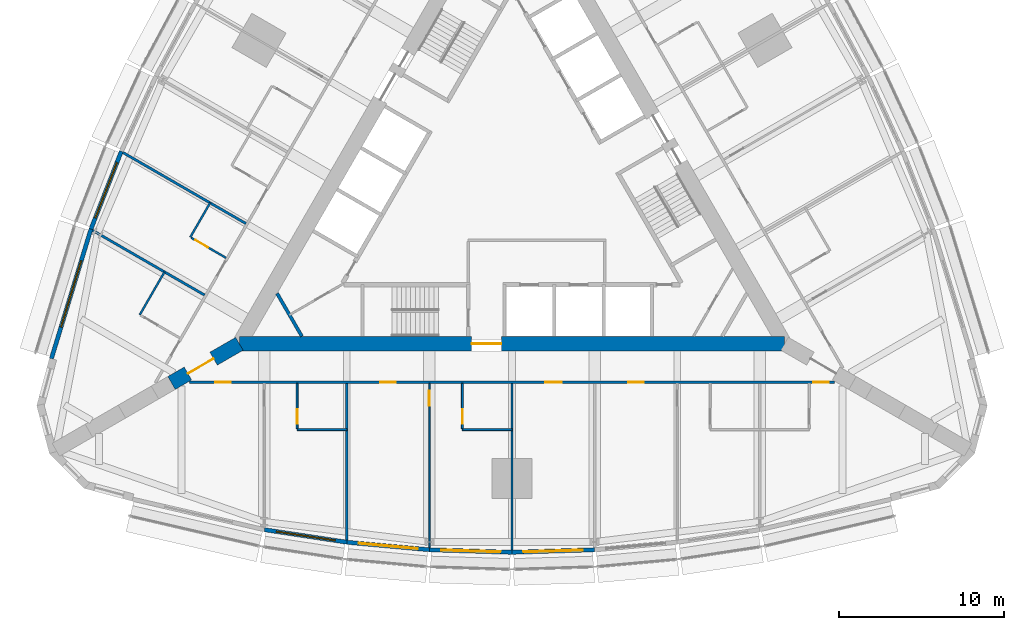
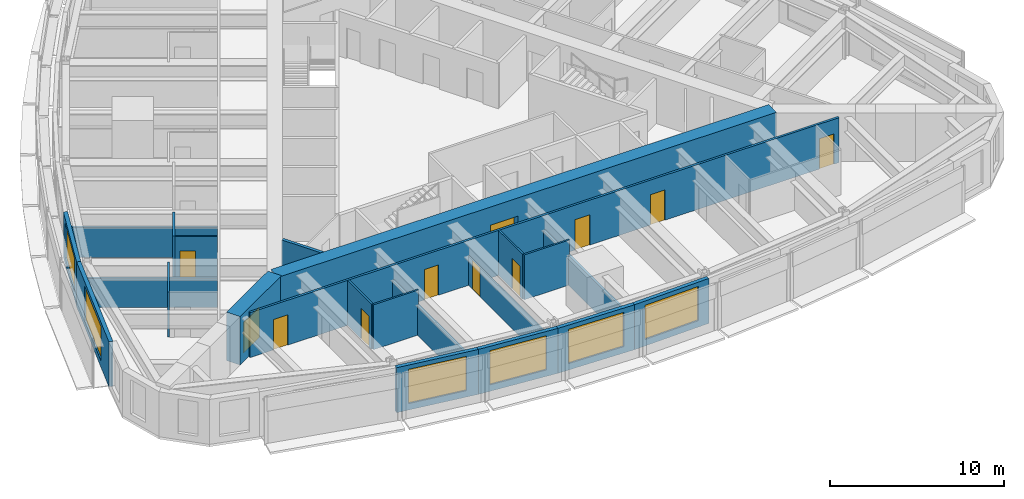
# One storey, part 8 of 14: 22 walls, 11 doors, 6 windows, 17 openings.
"""IFC4 building model written with IfcOpenShell, lengths in metres."""

from ifc_helpers import new_model, si_unit, direction, frame, frame_2d, origin, place, context, subcontext, project, spatial, rectangle, extrude, material, layer, layer_set, type_object, element, fill, save


model = new_model("IFC4")

# Units and contexts
model_context = context("Model", 3, precision=1e-05, world=origin(), true_north=direction((0.0, 1.0)))
body_context = subcontext(model_context, "Body", "Model", "MODEL_VIEW")
ifc_project = project(units=[si_unit("LENGTHUNIT", "METRE"), si_unit("AREAUNIT", "SQUARE_METRE"), si_unit("VOLUMEUNIT", "CUBIC_METRE"), si_unit("PLANEANGLEUNIT", "RADIAN"), si_unit("MASSUNIT", "GRAM", prefix="KILO")], contexts=[model_context])

# Site, building, storey
site_placement = place(None, origin())
site = spatial("IfcSite", under=ifc_project, at=site_placement, CompositionType="ELEMENT")
building_placement = place(site_placement, origin())
building = spatial("IfcBuilding", under=site, at=building_placement, Name="Trikona Tower", CompositionType="ELEMENT")
storey_placement = place(building_placement, frame((0.0, 0.0, 99.89990234375)))
storey = spatial("IfcBuildingStorey", under=building, at=storey_placement, Name="L26", CompositionType="ELEMENT", Elevation=99.89990234375)

# Wall
ifc_material_1 = material(Name="Metal stud and cement board", Category="gypsum")
ifc_layer_1 = layer(ifc_material_1, 0.1201171875)
ifc_layer_set_1 = layer_set([ifc_layer_1], Name="Bathroom wall 120")
wall_type_1 = type_object("IfcWallType", Name="Bathroom wall 120", PredefinedType="PLUMBINGWALL", material=ifc_layer_set_1)
wall_1_placement = place(storey_placement, frame((-13.0, -14.726318359375, 0.0), z_axis=(0.0, 0.0, 1.0), x_axis=(1.0, 0.0, 0.0)))
element("IfcWall", 1, at=wall_1_placement, inside=storey, type_object=wall_type_1, Name="Bathroom wall 2601.1", PredefinedType="PLUMBINGWALL", context=body_context, shape_type="SweptSolid", body=[
    extrude(rectangle(XDim=3.0, YDim=0.1201171875, at=frame_2d((1.5, 0.0))), origin(), (0.0, 0.0, 1.0), 3.150146484375),
])

# Wall, opening, door
wall_2_placement = place(storey_placement, frame((-13.0, -11.92626953125, 0.0), z_axis=(0.0, 0.0, 1.0), x_axis=(0.0, -1.0, 0.0)))
wall_2 = element("IfcWall", 2, at=wall_2_placement, inside=storey, type_object=wall_type_1, Name="Bathroom wall 2601.1", PredefinedType="PLUMBINGWALL", context=body_context, shape_type="SweptSolid", body=[
    extrude(rectangle(XDim=2.739990234375, YDim=0.1201171875, at=frame_2d((1.3701171875, 0.0))), origin(), (0.0, 0.0, 1.0), 3.150146484375),
])
opening_1_placement = place(wall_2_placement, frame((1.550048828125, 0.0, 0.0)))
opening_1 = element("IfcOpeningElement", 3, at=opening_1_placement, cuts=wall_2, Name="Opening D2", PredefinedType="OPENING", context=body_context, shape_type="SweptSolid", body=[
    extrude(rectangle(XDim=0.89990234375, YDim=2.1298828125, at=frame_2d((0.449951171875, 1.06494140625))), frame((0.0, 0.070068359375, 0.0), z_axis=(0.0, -1.0, 0.0), x_axis=(1.0, 0.0, 0.0)), (0.0, 0.0, 1.0), 0.14013671875),
])
ifc_material_2 = material(Name="Steel door frame with solid-core timber leaf", Category="steel")
door_type_1 = type_object("IfcDoorType", Name="Bathroom door 900x2130", OperationType="SLIDING_TO_LEFT", PredefinedType="DOOR", material=ifc_material_2)
door_1_placement = place(opening_1_placement, origin())
door_1 = element("IfcDoor", 4, at=door_1_placement, inside=storey, type_object=door_type_1, Name="Bathroom door 2601.1", OperationType="SLIDING_TO_LEFT", OverallHeight=2.1298828125, OverallWidth=0.89990234375, PredefinedType="DOOR", context=body_context, shape_type="SweptSolid", body=[
    extrude(rectangle(XDim=0.89990234375, YDim=2.1298828125, at=frame_2d((0.449951171875, 1.06494140625))), frame((0.0, 0.02490234375, 0.0), z_axis=(0.0, -1.0, 0.0), x_axis=(1.0, 0.0, 0.0)), (0.0, 0.0, 1.0), 0.050048828125),
])
fill(opening_1, door_1)

# Wall
wall_3_placement = place(storey_placement, frame((-3.0, -14.726318359375, 0.0), z_axis=(0.0, 0.0, 1.0), x_axis=(1.0, 0.0, 0.0)))
element("IfcWall", 5, at=wall_3_placement, inside=storey, type_object=wall_type_1, Name="Bathroom wall 2602.1", PredefinedType="PLUMBINGWALL", context=body_context, shape_type="SweptSolid", body=[
    extrude(rectangle(XDim=3.0, YDim=0.1201171875, at=frame_2d((1.5, 0.0))), origin(), (0.0, 0.0, 1.0), 3.150146484375),
])

# Wall, opening, door
wall_4_placement = place(storey_placement, frame((-3.0, -11.92626953125, 0.0), z_axis=(0.0, 0.0, 1.0), x_axis=(0.0, -1.0, 0.0)))
wall_4 = element("IfcWall", 6, at=wall_4_placement, inside=storey, type_object=wall_type_1, Name="Bathroom wall 2602.1", PredefinedType="PLUMBINGWALL", context=body_context, shape_type="SweptSolid", body=[
    extrude(rectangle(XDim=2.739990234375, YDim=0.1201171875, at=frame_2d((1.3701171875, 0.0))), origin(), (0.0, 0.0, 1.0), 3.150146484375),
])
opening_2_placement = place(wall_4_placement, frame((1.550048828125, 0.0, 0.0)))
opening_2 = element("IfcOpeningElement", 7, at=opening_2_placement, cuts=wall_4, Name="Opening D2", PredefinedType="OPENING", context=body_context, shape_type="SweptSolid", body=[
    extrude(rectangle(XDim=0.89990234375, YDim=2.1298828125, at=frame_2d((0.449951171875, 1.06494140625))), frame((0.0, 0.070068359375, 0.0), z_axis=(0.0, -1.0, 0.0), x_axis=(1.0, 0.0, 0.0)), (0.0, 0.0, 1.0), 0.14013671875),
])
door_2_placement = place(opening_2_placement, origin())
door_2 = element("IfcDoor", 8, at=door_2_placement, inside=storey, type_object=door_type_1, Name="Bathroom door 2602.1", OperationType="SLIDING_TO_LEFT", OverallHeight=2.1298828125, OverallWidth=0.89990234375, PredefinedType="DOOR", context=body_context, shape_type="SweptSolid", body=[
    extrude(rectangle(XDim=0.89990234375, YDim=2.1298828125, at=frame_2d((0.449951171875, 1.06494140625))), frame((0.0, 0.02490234375, 0.0), z_axis=(0.0, -1.0, 0.0), x_axis=(1.0, 0.0, 0.0)), (0.0, 0.0, 1.0), 0.050048828125),
])
fill(opening_2, door_2)

# Wall
wall_5_placement = place(storey_placement, frame((-18.27294921875, -0.9970703125, 0.0), z_axis=(0.0, 0.0, 1.0), x_axis=(-0.499957262057, -0.866050077142, 0.0)))
element("IfcWall", 9, at=wall_5_placement, inside=storey, type_object=wall_type_1, Name="Bathroom wall 2613", PredefinedType="PLUMBINGWALL", context=body_context, shape_type="SweptSolid", body=[
    extrude(rectangle(XDim=2.400146484375, YDim=0.1201171875, at=frame_2d((1.2001953125, 0.0))), origin(), (0.0, 0.0, 1.0), 3.150146484375),
])

# Wall, opening, door
wall_6_placement = place(storey_placement, frame((-17.307861328125, -4.32568359375, 0.0), z_axis=(0.0, 0.0, 1.0), x_axis=(-0.866023955769, 0.500002508028, 0.0)))
wall_6 = element("IfcWall", 10, at=wall_6_placement, inside=storey, type_object=wall_type_1, Name="Bathroom wall 2613", PredefinedType="PLUMBINGWALL", context=body_context, shape_type="SweptSolid", body=[
    extrude(rectangle(XDim=2.43994140625, YDim=0.1201171875, at=frame_2d((1.219970703125, 0.0))), origin(), (0.0, 0.0, 1.0), 3.150146484375),
])
opening_3_placement = place(wall_6_placement, frame((1.25, 0.0, 0.0)))
opening_3 = element("IfcOpeningElement", 11, at=opening_3_placement, cuts=wall_6, Name="Opening D2", PredefinedType="OPENING", context=body_context, shape_type="SweptSolid", body=[
    extrude(rectangle(XDim=0.89990234375, YDim=2.1298828125, at=frame_2d((0.449951171875, 1.06494140625))), frame((0.0, 0.070068359375, 0.0), z_axis=(0.0, -1.0, 0.0), x_axis=(1.0, 0.0, 0.0)), (0.0, 0.0, 1.0), 0.14013671875),
])
door_3_placement = place(opening_3_placement, origin())
door_3 = element("IfcDoor", 12, at=door_3_placement, inside=storey, type_object=door_type_1, Name="Bathroom door 2613", OperationType="SLIDING_TO_LEFT", OverallHeight=2.1298828125, OverallWidth=0.89990234375, PredefinedType="DOOR", context=body_context, shape_type="SweptSolid", body=[
    extrude(rectangle(XDim=0.89990234375, YDim=2.1298828125, at=frame_2d((0.449951171875, 1.06494140625))), frame((0.0, 0.02490234375, 0.0), z_axis=(0.0, -1.0, 0.0), x_axis=(1.0, 0.0, 0.0)), (0.0, 0.0, 1.0), 0.050048828125),
])
fill(opening_3, door_3)

# Wall
wall_7_placement = place(storey_placement, frame((-21.03271484375, -5.17724609375, 0.0), z_axis=(0.0, 0.0, 1.0), x_axis=(-0.499990139034, -0.866031096941, 0.0)))
element("IfcWall", 13, at=wall_7_placement, inside=storey, type_object=wall_type_1, Name="Bathroom wall 2614", PredefinedType="PLUMBINGWALL", context=body_context, shape_type="SweptSolid", body=[
    extrude(rectangle(XDim=3.0, YDim=0.1201171875, at=frame_2d((1.5, 0.0))), origin(), (0.0, 0.0, 1.0), 3.150146484375),
])

# Wall, opening, door
ifc_material_3 = material(Name="Concrete f'c 10000 psi", Category="concrete")
ifc_layer_2 = layer(ifc_material_3, 0.89990234375)
ifc_layer_set_2 = layer_set([ifc_layer_2], Name="Buttress wall 900")
wall_type_2 = type_object("IfcWallType", Name="Buttress wall 900", PredefinedType="SHEAR", material=ifc_layer_set_2)
wall_8_placement = place(storey_placement, frame((-16.5, -9.5263671875, 0.0), z_axis=(0.0, 0.0, 1.0), x_axis=(-0.866031398331, -0.499989616998, 0.0)))
wall_8 = element("IfcWall", 14, at=wall_8_placement, inside=storey, type_object=wall_type_2, Name="Buttress wall 3", PredefinedType="SHEAR", context=body_context, shape_type="SweptSolid", body=[
    extrude(rectangle(XDim=4.74609375, YDim=0.89990234375, at=frame_2d((2.373046875, 0.0))), origin(), (0.0, 0.0, 1.0), 3.400146484375),
])
opening_4_placement = place(wall_8_placement, frame((1.800048828125, 0.0, 0.0)))
opening_4 = element("IfcOpeningElement", 15, at=opening_4_placement, cuts=wall_8, Name="Opening D10", PredefinedType="OPENING", context=body_context, shape_type="SweptSolid", body=[
    extrude(rectangle(XDim=1.800048828125, YDim=2.1298828125, at=frame_2d((0.89990234375, 1.06494140625))), frame((0.0, 0.4599609375, 0.0), z_axis=(0.0, -1.0, 0.0), x_axis=(1.0, 0.0, 0.0)), (0.0, 0.0, 1.0), 0.919921875),
])
ifc_material_4 = material(Name="Hollow metal door and frame", Category="steel")
door_type_2 = type_object("IfcDoorType", Name="Cross-corridor door pair 1800x2130", OperationType="DOUBLE_DOOR_DOUBLE_SWING", PredefinedType="DOOR", material=ifc_material_4)
door_4_placement = place(opening_4_placement, origin())
door_4 = element("IfcDoor", 16, at=door_4_placement, inside=storey, type_object=door_type_2, Name="Cross-corridor door 3", OperationType="DOUBLE_DOOR_DOUBLE_SWING", OverallHeight=2.1298828125, OverallWidth=1.800048828125, PredefinedType="DOOR", context=body_context, shape_type="SweptSolid", body=[
    extrude(rectangle(XDim=1.800048828125, YDim=2.1298828125, at=frame_2d((0.89990234375, 1.06494140625))), frame((0.0, 0.02490234375, 0.0), z_axis=(0.0, -1.0, 0.0), x_axis=(1.0, 0.0, 0.0)), (0.0, 0.0, 1.0), 0.050048828125),
])
fill(opening_4, door_4)

ifc_material_5 = material(Name="Concrete f'c 10000 psi", Category="concrete")
ifc_layer_3 = layer(ifc_material_5, 0.89990234375)
ifc_layer_set_3 = layer_set([ifc_layer_3], Name="Core wall 900")
wall_type_3 = type_object("IfcWallType", Name="Core wall 900", PredefinedType="SHEAR", material=ifc_layer_set_3)
wall_9_placement = place(storey_placement, frame((-16.5, -9.5263671875, 0.0), z_axis=(0.0, 0.0, 1.0), x_axis=(1.0, 0.0, 0.0)))
wall_9 = element("IfcWall", 17, at=wall_9_placement, inside=storey, type_object=wall_type_3, Name="Core wall A", PredefinedType="SHEAR", context=body_context, shape_type="SweptSolid", body=[
    extrude(rectangle(XDim=33.0, YDim=0.89990234375, at=frame_2d((16.5, 0.0))), origin(), (0.0, 0.0, 1.0), 3.400146484375),
])
opening_5_placement = place(wall_9_placement, frame((14.050048828125, 0.0, 0.0)))
opening_5 = element("IfcOpeningElement", 18, at=opening_5_placement, cuts=wall_9, Name="Opening D6", PredefinedType="OPENING", context=body_context, shape_type="SweptSolid", body=[
    extrude(rectangle(XDim=1.800048828125, YDim=2.1298828125, at=frame_2d((0.89990234375, 1.06494140625))), frame((0.0, 0.4599609375, 0.0), z_axis=(0.0, -1.0, 0.0), x_axis=(1.0, 0.0, 0.0)), (0.0, 0.0, 1.0), 0.919921875),
])
ifc_material_6 = material(Name="Hollow metal door and frame", Category="steel")
door_type_3 = type_object("IfcDoorType", Name="Lobby door pair 1800x2130", OperationType="DOUBLE_DOOR_SINGLE_SWING", PredefinedType="DOOR", material=ifc_material_6)
door_5_placement = place(opening_5_placement, origin())
door_5 = element("IfcDoor", 19, at=door_5_placement, inside=storey, type_object=door_type_3, Name="Fire service lift lobby door", OperationType="DOUBLE_DOOR_SINGLE_SWING", OverallHeight=2.1298828125, OverallWidth=1.800048828125, PredefinedType="DOOR", context=body_context, shape_type="SweptSolid", body=[
    extrude(rectangle(XDim=1.800048828125, YDim=2.1298828125, at=frame_2d((0.89990234375, 1.06494140625))), frame((0.0, 0.02490234375, 0.0), z_axis=(0.0, -1.0, 0.0), x_axis=(1.0, 0.0, 0.0)), (0.0, 0.0, 1.0), 0.050048828125),
])
fill(opening_5, door_5)

# Wall, openings, doors
ifc_material_7 = material(Name="Metal stud and gypsum board, 1-hour", Category="gypsum")
ifc_layer_4 = layer(ifc_material_7, 0.14990234375)
ifc_layer_set_4 = layer_set([ifc_layer_4], Name="Corridor wall 150")
wall_type_4 = type_object("IfcWallType", Name="Corridor wall 150", PredefinedType="PARTITIONING", material=ifc_layer_set_4)
wall_10_placement = place(storey_placement, frame((-19.527099609375, -11.851318359375, 0.0), z_axis=(0.0, 0.0, 1.0), x_axis=(1.0, 0.0, 0.0)))
wall_10 = element("IfcWall", 20, at=wall_10_placement, inside=storey, type_object=wall_type_4, Name="Corridor wall L26-1", PredefinedType="PARTITIONING", context=body_context, shape_type="SweptSolid", body=[
    extrude(rectangle(XDim=39.05419921875, YDim=0.14990234375, at=frame_2d((19.527099609375, 0.0))), origin(), (0.0, 0.0, 1.0), 3.150146484375),
])
opening_6_placement = place(wall_10_placement, frame((1.558349609375, 0.0, 0.0)))
opening_6 = element("IfcOpeningElement", 21, at=opening_6_placement, cuts=wall_10, Name="Opening D1", PredefinedType="OPENING", context=body_context, shape_type="SweptSolid", body=[
    extrude(rectangle(XDim=0.949951171875, YDim=2.1298828125, at=frame_2d((0.47509765625, 1.06494140625))), frame((0.0, 0.0849609375, 0.0), z_axis=(0.0, -1.0, 0.0), x_axis=(1.0, 0.0, 0.0)), (0.0, 0.0, 1.0), 0.169921875),
])
opening_7_placement = place(wall_10_placement, frame((11.552001953125, 0.0, 0.0)))
opening_7 = element("IfcOpeningElement", 22, at=opening_7_placement, cuts=wall_10, Name="Opening D1", PredefinedType="OPENING", context=body_context, shape_type="SweptSolid", body=[
    extrude(rectangle(XDim=0.949951171875, YDim=2.1298828125, at=frame_2d((0.47509765625, 1.06494140625))), frame((0.0, 0.0849609375, 0.0), z_axis=(0.0, -1.0, 0.0), x_axis=(1.0, 0.0, 0.0)), (0.0, 0.0, 1.0), 0.169921875),
])
opening_8_placement = place(wall_10_placement, frame((21.527099609375, 0.0, 0.0)))
opening_8 = element("IfcOpeningElement", 23, at=opening_8_placement, cuts=wall_10, Name="Opening D3", PredefinedType="OPENING", context=body_context, shape_type="SweptSolid", body=[
    extrude(rectangle(XDim=1.0, YDim=2.1298828125, at=frame_2d((0.5, 1.06494140625))), frame((0.0, 0.0849609375, 0.0), z_axis=(0.0, -1.0, 0.0), x_axis=(1.0, 0.0, 0.0)), (0.0, 0.0, 1.0), 0.169921875),
])
opening_9_placement = place(wall_10_placement, frame((26.552001953125, 0.0, 0.0)))
opening_9 = element("IfcOpeningElement", 24, at=opening_9_placement, cuts=wall_10, Name="Opening D1", PredefinedType="OPENING", context=body_context, shape_type="SweptSolid", body=[
    extrude(rectangle(XDim=0.949951171875, YDim=2.1298828125, at=frame_2d((0.47509765625, 1.06494140625))), frame((0.0, 0.0849609375, 0.0), z_axis=(0.0, -1.0, 0.0), x_axis=(1.0, 0.0, 0.0)), (0.0, 0.0, 1.0), 0.169921875),
])
opening_10_placement = place(wall_10_placement, frame((37.751953125, 0.0, 0.0)))
opening_10 = element("IfcOpeningElement", 25, at=opening_10_placement, cuts=wall_10, Name="Opening D1", PredefinedType="OPENING", context=body_context, shape_type="SweptSolid", body=[
    extrude(rectangle(XDim=0.949951171875, YDim=2.1298828125, at=frame_2d((0.47509765625, 1.06494140625))), frame((0.0, 0.0849609375, 0.0), z_axis=(0.0, -1.0, 0.0), x_axis=(1.0, 0.0, 0.0)), (0.0, 0.0, 1.0), 0.169921875),
])
ifc_material_8 = material(Name="Steel door frame with solid-core timber leaf", Category="steel")
door_type_4 = type_object("IfcDoorType", Name="Guest room door 950x2130", OperationType="SINGLE_SWING_LEFT", PredefinedType="DOOR", material=ifc_material_8)
door_6_placement = place(opening_6_placement, origin())
door_6 = element("IfcDoor", 26, at=door_6_placement, inside=storey, type_object=door_type_4, Name="Room door 2601", OperationType="SINGLE_SWING_LEFT", OverallHeight=2.1298828125, OverallWidth=0.949951171875, PredefinedType="DOOR", context=body_context, shape_type="SweptSolid", body=[
    extrude(rectangle(XDim=0.949951171875, YDim=2.1298828125, at=frame_2d((0.47509765625, 1.06494140625))), frame((0.0, 0.02490234375, 0.0), z_axis=(0.0, -1.0, 0.0), x_axis=(1.0, 0.0, 0.0)), (0.0, 0.0, 1.0), 0.050048828125),
])
fill(opening_6, door_6)
door_7_placement = place(opening_7_placement, origin())
door_7 = element("IfcDoor", 27, at=door_7_placement, inside=storey, type_object=door_type_4, Name="Room door 2602", OperationType="SINGLE_SWING_RIGHT", OverallHeight=2.1298828125, OverallWidth=0.949951171875, PredefinedType="DOOR", context=body_context, shape_type="SweptSolid", body=[
    extrude(rectangle(XDim=0.949951171875, YDim=2.1298828125, at=frame_2d((0.47509765625, 1.06494140625))), frame((0.0, 0.02490234375, 0.0), z_axis=(0.0, -1.0, 0.0), x_axis=(1.0, 0.0, 0.0)), (0.0, 0.0, 1.0), 0.050048828125),
])
fill(opening_7, door_7)
door_8_placement = place(opening_9_placement, origin())
door_8 = element("IfcDoor", 28, at=door_8_placement, inside=storey, type_object=door_type_4, Name="Room door 2603", OperationType="SINGLE_SWING_RIGHT", OverallHeight=2.1298828125, OverallWidth=0.949951171875, PredefinedType="DOOR", context=body_context, shape_type="SweptSolid", body=[
    extrude(rectangle(XDim=0.949951171875, YDim=2.1298828125, at=frame_2d((0.47509765625, 1.06494140625))), frame((0.0, 0.02490234375, 0.0), z_axis=(0.0, -1.0, 0.0), x_axis=(1.0, 0.0, 0.0)), (0.0, 0.0, 1.0), 0.050048828125),
])
fill(opening_9, door_8)
door_9_placement = place(opening_10_placement, origin())
door_9 = element("IfcDoor", 29, at=door_9_placement, inside=storey, type_object=door_type_4, Name="Room door 2604", OperationType="SINGLE_SWING_RIGHT", OverallHeight=2.1298828125, OverallWidth=0.949951171875, PredefinedType="DOOR", context=body_context, shape_type="SweptSolid", body=[
    extrude(rectangle(XDim=0.949951171875, YDim=2.1298828125, at=frame_2d((0.47509765625, 1.06494140625))), frame((0.0, 0.02490234375, 0.0), z_axis=(0.0, -1.0, 0.0), x_axis=(1.0, 0.0, 0.0)), (0.0, 0.0, 1.0), 0.050048828125),
])
fill(opening_10, door_9)
ifc_material_9 = material(Name="Steel door frame with solid-core timber leaf", Category="steel")
door_type_5 = type_object("IfcDoorType", Name="Room door 1000x2130", OperationType="SINGLE_SWING_LEFT", PredefinedType="DOOR", material=ifc_material_9)
door_10_placement = place(opening_8_placement, origin())
door_10 = element("IfcDoor", 30, at=door_10_placement, inside=storey, type_object=door_type_5, Name="Door Housekeeping pantry", OperationType="SINGLE_SWING_LEFT", OverallHeight=2.1298828125, OverallWidth=1.0, PredefinedType="DOOR", context=body_context, shape_type="SweptSolid", body=[
    extrude(rectangle(XDim=1.0, YDim=2.1298828125, at=frame_2d((0.5, 1.06494140625))), frame((0.0, 0.02490234375, 0.0), z_axis=(0.0, -1.0, 0.0), x_axis=(1.0, 0.0, 0.0)), (0.0, 0.0, 1.0), 0.050048828125),
])
fill(opening_8, door_10)

# Wall, opening, window
ifc_material_10 = material(Name="Insulated precast concrete spandrel panel", Category="concrete")
ifc_layer_5 = layer(ifc_material_10, 0.25)
ifc_layer_set_5 = layer_set([ifc_layer_5], Name="Inner skin wall 250")
wall_type_5 = type_object("IfcWallType", Name="Inner skin wall 250", PredefinedType="STANDARD", material=ifc_layer_set_5)
wall_11_placement = place(storey_placement, frame((-14.981201171875, -20.779296875, 0.0), z_axis=(0.0, 0.0, 1.0), x_axis=(0.988615403399, -0.150464561152, 0.0)))
wall_11 = element("IfcWall", 31, at=wall_11_placement, inside=storey, type_object=wall_type_5, Name="External wall L26-01", PredefinedType="STANDARD", context=body_context, shape_type="SweptSolid", body=[
    extrude(rectangle(XDim=5.0576171875, YDim=0.25, at=frame_2d((2.52880859375, 0.0))), origin(), (0.0, 0.0, 1.0), 3.150146484375),
])
opening_11_placement = place(wall_11_placement, frame((0.728759765625, 0.0, 0.449951171875)))
opening_11 = element("IfcOpeningElement", 32, at=opening_11_placement, cuts=wall_11, Name="Opening W3624", PredefinedType="OPENING", context=body_context, shape_type="SweptSolid", body=[
    extrude(rectangle(XDim=3.60009765625, YDim=2.39990234375, at=frame_2d((1.800048828125, 1.199951171875))), frame((0.0, 0.135009765625, 0.0), z_axis=(0.0, -1.0, 0.0), x_axis=(1.0, 0.0, 0.0)), (0.0, 0.0, 1.0), 0.27001953125),
])
ifc_material_11 = material(Name="Aluminium-framed double glazing", Category="aluminium")
window_type_1 = type_object("IfcWindowType", Name="Window 3600x2400", PartitioningType="SINGLE_PANEL", PredefinedType="WINDOW", material=ifc_material_11)
window_1_placement = place(opening_11_placement, origin())
window_1 = element("IfcWindow", 33, at=window_1_placement, inside=storey, type_object=window_type_1, Name="Window 2601.1", OverallHeight=2.39990234375, OverallWidth=3.60009765625, PartitioningType="SINGLE_PANEL", PredefinedType="WINDOW", context=body_context, shape_type="SweptSolid", body=[
    extrude(rectangle(XDim=3.60009765625, YDim=2.39990234375, at=frame_2d((1.800048828125, 1.199951171875))), frame((0.0, 0.030029296875, 0.0), z_axis=(0.0, -1.0, 0.0), x_axis=(1.0, 0.0, 0.0)), (0.0, 0.0, 1.0), 0.06005859375),
])
fill(opening_11, window_1)

wall_12_placement = place(storey_placement, frame((-9.988525390625, -21.539306640625, 0.0), z_axis=(0.0, 0.0, 1.0), x_axis=(0.995857256774, -0.090930325692, 0.0)))
wall_12 = element("IfcWall", 34, at=wall_12_placement, inside=storey, type_object=wall_type_5, Name="External wall L26-02", PredefinedType="STANDARD", context=body_context, shape_type="SweptSolid", body=[
    extrude(rectangle(XDim=5.020751953125, YDim=0.25, at=frame_2d((2.51025390625, 0.0))), origin(), (0.0, 0.0, 1.0), 3.150146484375),
])
opening_12_placement = place(wall_12_placement, frame((0.71044921875, 0.0, 0.449951171875)))
opening_12 = element("IfcOpeningElement", 35, at=opening_12_placement, cuts=wall_12, Name="Opening W3624", PredefinedType="OPENING", context=body_context, shape_type="SweptSolid", body=[
    extrude(rectangle(XDim=3.60009765625, YDim=2.39990234375, at=frame_2d((1.800048828125, 1.199951171875))), frame((0.0, 0.135009765625, 0.0), z_axis=(0.0, -1.0, 0.0), x_axis=(1.0, 0.0, 0.0)), (0.0, 0.0, 1.0), 0.27001953125),
])
window_2_placement = place(opening_12_placement, origin())
window_2 = element("IfcWindow", 36, at=window_2_placement, inside=storey, type_object=window_type_1, Name="Window 2602", OverallHeight=2.39990234375, OverallWidth=3.60009765625, PartitioningType="SINGLE_PANEL", PredefinedType="WINDOW", context=body_context, shape_type="SweptSolid", body=[
    extrude(rectangle(XDim=3.60009765625, YDim=2.39990234375, at=frame_2d((1.800048828125, 1.199951171875))), frame((0.0, 0.030029296875, 0.0), z_axis=(0.0, -1.0, 0.0), x_axis=(1.0, 0.0, 0.0)), (0.0, 0.0, 1.0), 0.06005859375),
])
fill(opening_12, window_2)

wall_13_placement = place(storey_placement, frame((-4.99609375, -21.99560546875, 0.0), z_axis=(0.0, 0.0, 1.0), x_axis=(0.999537635046, -0.030405856769, 0.0)))
wall_13 = element("IfcWall", 37, at=wall_13_placement, inside=storey, type_object=wall_type_5, Name="External wall L26-03", PredefinedType="STANDARD", context=body_context, shape_type="SweptSolid", body=[
    extrude(rectangle(XDim=5.002197265625, YDim=0.25, at=frame_2d((2.5009765625, 0.0))), origin(), (0.0, 0.0, 1.0), 3.150146484375),
])
opening_13_placement = place(wall_13_placement, frame((0.701171875, 0.0, 0.449951171875)))
opening_13 = element("IfcOpeningElement", 38, at=opening_13_placement, cuts=wall_13, Name="Opening W3624", PredefinedType="OPENING", context=body_context, shape_type="SweptSolid", body=[
    extrude(rectangle(XDim=3.60009765625, YDim=2.39990234375, at=frame_2d((1.800048828125, 1.199951171875))), frame((0.0, 0.135009765625, 0.0), z_axis=(0.0, -1.0, 0.0), x_axis=(1.0, 0.0, 0.0)), (0.0, 0.0, 1.0), 0.27001953125),
])
window_3_placement = place(opening_13_placement, origin())
window_3 = element("IfcWindow", 39, at=window_3_placement, inside=storey, type_object=window_type_1, Name="Window 2602.1", OverallHeight=2.39990234375, OverallWidth=3.60009765625, PartitioningType="SINGLE_PANEL", PredefinedType="WINDOW", context=body_context, shape_type="SweptSolid", body=[
    extrude(rectangle(XDim=3.60009765625, YDim=2.39990234375, at=frame_2d((1.800048828125, 1.199951171875))), frame((0.0, 0.030029296875, 0.0), z_axis=(0.0, -1.0, 0.0), x_axis=(1.0, 0.0, 0.0)), (0.0, 0.0, 1.0), 0.06005859375),
])
fill(opening_13, window_3)

wall_14_placement = place(storey_placement, frame((-0.00390625, -22.147705078125, 0.0), z_axis=(0.0, 0.0, 1.0), x_axis=(0.999537635046, 0.030405856769, 0.0)))
wall_14 = element("IfcWall", 40, at=wall_14_placement, inside=storey, type_object=wall_type_5, Name="External wall L26-04", PredefinedType="STANDARD", context=body_context, shape_type="SweptSolid", body=[
    extrude(rectangle(XDim=5.002197265625, YDim=0.25, at=frame_2d((2.5009765625, 0.0))), origin(), (0.0, 0.0, 1.0), 3.150146484375),
])
opening_14_placement = place(wall_14_placement, frame((0.701171875, 0.0, 0.449951171875)))
opening_14 = element("IfcOpeningElement", 41, at=opening_14_placement, cuts=wall_14, Name="Opening W3624", PredefinedType="OPENING", context=body_context, shape_type="SweptSolid", body=[
    extrude(rectangle(XDim=3.60009765625, YDim=2.39990234375, at=frame_2d((1.800048828125, 1.199951171875))), frame((0.0, 0.135009765625, 0.0), z_axis=(0.0, -1.0, 0.0), x_axis=(1.0, 0.0, 0.0)), (0.0, 0.0, 1.0), 0.27001953125),
])
window_4_placement = place(opening_14_placement, origin())
window_4 = element("IfcWindow", 42, at=window_4_placement, inside=storey, type_object=window_type_1, Name="Window L26-HKP", OverallHeight=2.39990234375, OverallWidth=3.60009765625, PartitioningType="SINGLE_PANEL", PredefinedType="WINDOW", context=body_context, shape_type="SweptSolid", body=[
    extrude(rectangle(XDim=3.60009765625, YDim=2.39990234375, at=frame_2d((1.800048828125, 1.199951171875))), frame((0.0, 0.030029296875, 0.0), z_axis=(0.0, -1.0, 0.0), x_axis=(1.0, 0.0, 0.0)), (0.0, 0.0, 1.0), 0.06005859375),
])
fill(opening_14, window_4)

wall_15_placement = place(storey_placement, frame((-23.64501953125, 2.126220703125, 0.0), z_axis=(0.0, 0.0, 1.0), x_axis=(-0.364013463868, -0.931393685894, 0.0)))
wall_15 = element("IfcWall", 43, at=wall_15_placement, inside=storey, type_object=wall_type_5, Name="External wall L26-30", PredefinedType="STANDARD", context=body_context, shape_type="SweptSolid", body=[
    extrude(rectangle(XDim=5.0576171875, YDim=0.25, at=frame_2d((2.52880859375, 0.0))), origin(), (0.0, 0.0, 1.0), 3.150146484375),
])
opening_15_placement = place(wall_15_placement, frame((0.728759765625, 0.0, 0.449951171875)))
opening_15 = element("IfcOpeningElement", 44, at=opening_15_placement, cuts=wall_15, Name="Opening W3624", PredefinedType="OPENING", context=body_context, shape_type="SweptSolid", body=[
    extrude(rectangle(XDim=3.60009765625, YDim=2.39990234375, at=frame_2d((1.800048828125, 1.199951171875))), frame((0.0, 0.135009765625, 0.0), z_axis=(0.0, -1.0, 0.0), x_axis=(1.0, 0.0, 0.0)), (0.0, 0.0, 1.0), 0.27001953125),
])
window_5_placement = place(opening_15_placement, origin())
window_5 = element("IfcWindow", 45, at=window_5_placement, inside=storey, type_object=window_type_1, Name="Window 2613", OverallHeight=2.39990234375, OverallWidth=3.60009765625, PartitioningType="SINGLE_PANEL", PredefinedType="WINDOW", context=body_context, shape_type="SweptSolid", body=[
    extrude(rectangle(XDim=3.60009765625, YDim=2.39990234375, at=frame_2d((1.800048828125, 1.199951171875))), frame((0.0, 0.030029296875, 0.0), z_axis=(0.0, -1.0, 0.0), x_axis=(1.0, 0.0, 0.0)), (0.0, 0.0, 1.0), 0.06005859375),
])
fill(opening_15, window_5)

wall_16_placement = place(storey_placement, frame((-25.48291015625, -2.575439453125, 0.0), z_axis=(0.0, 0.0, 1.0), x_axis=(-0.2919790669, -0.956424709265, 0.0)))
wall_16 = element("IfcWall", 46, at=wall_16_placement, inside=storey, type_object=wall_type_5, Name="External wall L26-31", PredefinedType="STANDARD", context=body_context, shape_type="SweptSolid", body=[
    extrude(rectangle(XDim=8.211181640625, YDim=0.25, at=frame_2d((4.10546875, 0.0))), origin(), (0.0, 0.0, 1.0), 3.150146484375),
])
opening_16_placement = place(wall_16_placement, frame((2.005615234375, 0.0, 0.449951171875)))
opening_16 = element("IfcOpeningElement", 47, at=opening_16_placement, cuts=wall_16, Name="Opening W4224", PredefinedType="OPENING", context=body_context, shape_type="SweptSolid", body=[
    extrude(rectangle(XDim=4.199951171875, YDim=2.39990234375, at=frame_2d((2.10009765625, 1.199951171875))), frame((0.0, 0.135009765625, 0.0), z_axis=(0.0, -1.0, 0.0), x_axis=(1.0, 0.0, 0.0)), (0.0, 0.0, 1.0), 0.27001953125),
])
ifc_material_12 = material(Name="Aluminium-framed double glazing", Category="aluminium")
window_type_2 = type_object("IfcWindowType", Name="Window 4200x2400", PartitioningType="SINGLE_PANEL", PredefinedType="WINDOW", material=ifc_material_12)
window_6_placement = place(opening_16_placement, origin())
window_6 = element("IfcWindow", 48, at=window_6_placement, inside=storey, type_object=window_type_2, Name="Window 2614", OverallHeight=2.39990234375, OverallWidth=4.199951171875, PartitioningType="SINGLE_PANEL", PredefinedType="WINDOW", context=body_context, shape_type="SweptSolid", body=[
    extrude(rectangle(XDim=4.199951171875, YDim=2.39990234375, at=frame_2d((2.10009765625, 1.199951171875))), frame((0.0, 0.030029296875, 0.0), z_axis=(0.0, -1.0, 0.0), x_axis=(1.0, 0.0, 0.0)), (0.0, 0.0, 1.0), 0.06005859375),
])
fill(opening_16, window_6)

# Walls
ifc_material_13 = material(Name="Metal stud and gypsum board, 1-hour acoustic", Category="gypsum")
ifc_layer_6 = layer(ifc_material_13, 0.14990234375)
ifc_layer_set_6 = layer_set([ifc_layer_6], Name="Party wall 150")
wall_type_6 = type_object("IfcWallType", Name="Party wall 150", PredefinedType="PARTITIONING", material=ifc_layer_set_6)
wall_17_placement = place(storey_placement, frame((-10.0, -11.92626953125, 0.0), z_axis=(0.0, 0.0, 1.0), x_axis=(0.0, -1.0, 0.0)))
element("IfcWall", 49, at=wall_17_placement, inside=storey, type_object=wall_type_6, Name="Partition L26 F1 u-10", PredefinedType="PARTITIONING", context=body_context, shape_type="SweptSolid", body=[
    extrude(rectangle(XDim=9.484619140625, YDim=0.14990234375, at=frame_2d((4.7421875, 0.0))), origin(), (0.0, 0.0, 1.0), 2.108642578125),
])
wall_18_placement = place(storey_placement, frame((0.0, -11.92626953125, 0.0), z_axis=(0.0, 0.0, 1.0), x_axis=(0.0, -1.0, 0.0)))
element("IfcWall", 50, at=wall_18_placement, inside=storey, type_object=wall_type_6, Name="Partition L26 F1 u-1.03538e-30", PredefinedType="PARTITIONING", context=body_context, shape_type="SweptSolid", body=[
    extrude(rectangle(XDim=10.09619140625, YDim=0.14990234375, at=frame_2d((5.048095703125, 0.0))), origin(), (0.0, 0.0, 1.0), 2.108642578125),
])
wall_19_placement = place(storey_placement, frame((-16.10791015625, -2.2470703125, 0.0), z_axis=(0.0, 0.0, 1.0), x_axis=(-0.866018881988, 0.500011295912, 0.0)))
element("IfcWall", 51, at=wall_19_placement, inside=storey, type_object=wall_type_6, Name="Partition L26 F3 u10", PredefinedType="PARTITIONING", context=body_context, shape_type="SweptSolid", body=[
    extrude(rectangle(XDim=8.584716796875, YDim=0.14990234375, at=frame_2d((4.29248046875, 0.0))), origin(), (0.0, 0.0, 1.0), 2.108642578125),
])
wall_20_placement = place(storey_placement, frame((-18.60791015625, -6.5771484375, 0.0), z_axis=(0.0, 0.0, 1.0), x_axis=(-0.866034818847, 0.499983692279, 0.0)))
element("IfcWall", 52, at=wall_20_placement, inside=storey, type_object=wall_type_6, Name="Partition L26 F3 u15", PredefinedType="PARTITIONING", context=body_context, shape_type="SweptSolid", body=[
    extrude(rectangle(XDim=7.820068359375, YDim=0.14990234375, at=frame_2d((3.91015625, 0.0))), origin(), (0.0, 0.0, 1.0), 2.050048828125),
])
ifc_material_14 = material(Name="Concrete f'c 8000 psi", Category="concrete")
ifc_layer_7 = layer(ifc_material_14, 0.199951171875)
ifc_layer_set_7 = layer_set([ifc_layer_7], Name="Shaft wall 200")
wall_type_7 = type_object("IfcWallType", Name="Shaft wall 200", PredefinedType="SOLIDWALL", material=ifc_layer_set_7)
wall_21_placement = place(storey_placement, frame((-12.718505859375, -9.076416015625, 0.0), z_axis=(0.0, 0.0, 1.0), x_axis=(-0.499952404951, 0.866052881055, 0.0)))
element("IfcWall", 53, at=wall_21_placement, inside=storey, type_object=wall_type_7, Name="Riser wall L26-RS3", PredefinedType="SOLIDWALL", context=body_context, shape_type="SweptSolid", body=[
    extrude(rectangle(XDim=3.002197265625, YDim=0.199951171875, at=frame_2d((1.5009765625, 0.0))), origin(), (0.0, 0.0, 1.0), 3.150146484375),
])

# Wall, opening, door
ifc_material_15 = material(Name="Metal stud and gypsum board, acoustic", Category="gypsum")
ifc_layer_8 = layer(ifc_material_15, 0.10009765625)
ifc_layer_set_8 = layer_set([ifc_layer_8], Name="Suite partition 100")
wall_type_8 = type_object("IfcWallType", Name="Suite partition 100", PredefinedType="PARTITIONING", material=ifc_layer_set_8)
wall_22_placement = place(storey_placement, frame((-5.0, -11.92626953125, 0.0), z_axis=(0.0, 0.0, 1.0), x_axis=(0.0, -1.0, 0.0)))
wall_22 = element("IfcWall", 54, at=wall_22_placement, inside=storey, type_object=wall_type_8, Name="Suite partition L26 F1 u-5", PredefinedType="PARTITIONING", context=body_context, shape_type="SweptSolid", body=[
    extrude(rectangle(XDim=9.943115234375, YDim=0.10009765625, at=frame_2d((4.9716796875, 0.0))), origin(), (0.0, 0.0, 1.0), 2.050048828125),
])
opening_17_placement = place(wall_22_placement, frame((0.449951171875, 0.0, 0.0)))
opening_17 = element("IfcOpeningElement", 55, at=opening_17_placement, cuts=wall_22, Name="Opening D16", PredefinedType="OPENING", context=body_context, shape_type="SweptSolid", body=[
    extrude(rectangle(XDim=0.89990234375, YDim=2.031982421875, at=frame_2d((0.449951171875, 1.01611328125))), frame((0.0, 0.06005859375, 0.0), z_axis=(0.0, -1.0, 0.0), x_axis=(1.0, 0.0, 0.0)), (0.0, 0.0, 1.0), 0.1201171875),
])
ifc_material_16 = material(Name="Steel door frame with solid-core timber leaf", Category="steel")
door_type_6 = type_object("IfcDoorType", Name="Suite door 900x2032", OperationType="SINGLE_SWING_LEFT", PredefinedType="DOOR", material=ifc_material_16)
door_11_placement = place(opening_17_placement, origin())
door_11 = element("IfcDoor", 56, at=door_11_placement, inside=storey, type_object=door_type_6, Name="Suite door 2602", OperationType="SINGLE_SWING_LEFT", OverallHeight=2.031982421875, OverallWidth=0.89990234375, PredefinedType="DOOR", context=body_context, shape_type="SweptSolid", body=[
    extrude(rectangle(XDim=0.89990234375, YDim=2.031982421875, at=frame_2d((0.449951171875, 1.01611328125))), frame((0.0, 0.02490234375, 0.0), z_axis=(0.0, -1.0, 0.0), x_axis=(1.0, 0.0, 0.0)), (0.0, 0.0, 1.0), 0.050048828125),
])
fill(opening_17, door_11)

save(model, "model.ifc")
